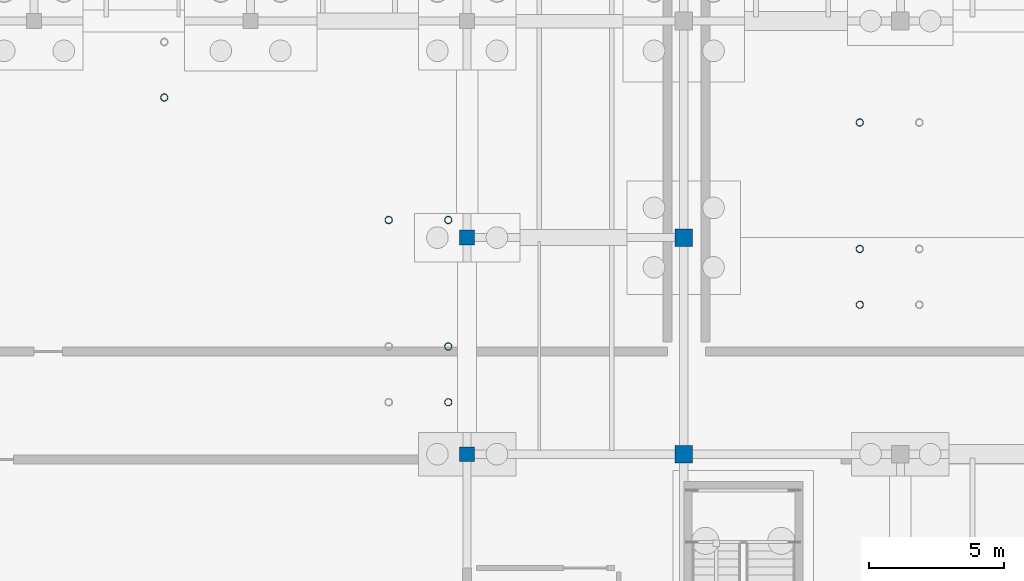
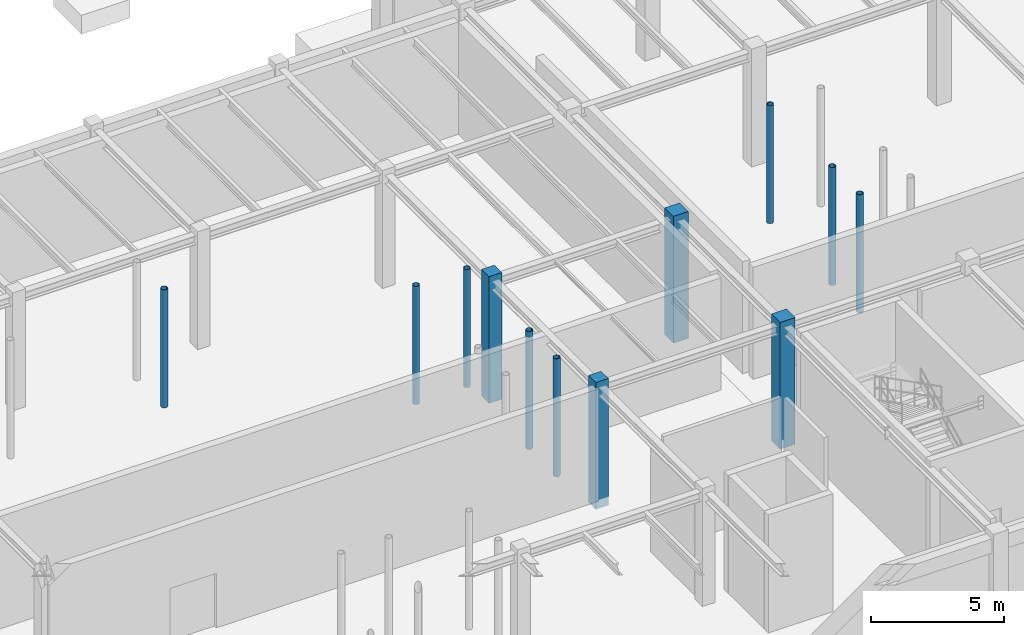
# One storey, part 14 of 71: 12 columns.
"""IFC4 building model written with IfcOpenShell, lengths in metres."""

from ifc_helpers import new_model, si_unit, direction, frame, origin, origin_2d, place, context, subcontext, project, spatial, rectangle, hollow_circle, extrude, material, material_profile, profile_set, type_object, element, save


model = new_model("IFC4")

# Units and contexts
model_context = context("Model", 3, precision=1e-05, world=origin(), true_north=direction((0.0, 1.0)))
body_context = subcontext(model_context, "Body", "Model", "MODEL_VIEW")
ifc_project = project(units=[si_unit("LENGTHUNIT", "METRE"), si_unit("AREAUNIT", "SQUARE_METRE"), si_unit("VOLUMEUNIT", "CUBIC_METRE"), si_unit("PLANEANGLEUNIT", "RADIAN"), si_unit("MASSUNIT", "GRAM", prefix="KILO")], contexts=[model_context])

# Site, building, storey
site_placement = place(None, origin())
site = spatial("IfcSite", under=ifc_project, at=site_placement, CompositionType="ELEMENT")
building_placement = place(site_placement, origin())
building = spatial("IfcBuilding", under=site, at=building_placement, Name="Sundkrona Museum", CompositionType="ELEMENT")
storey_placement = place(building_placement, frame((0.0, 0.0, -5.39990234375)))
storey = spatial("IfcBuildingStorey", under=building, at=storey_placement, Name="B1", CompositionType="ELEMENT", Elevation=-5.39990234375)

# Columns
ifc_material_1 = material(Name="Steel S355J2", Category="steel")
ifc_material_profile_1 = material_profile(ifc_material_1, hollow_circle(Radius=0.136474609375, WallThickness=0.012451171875, at=origin_2d()), Name="CHS 273.0x12.5")
ifc_profile_set_1 = profile_set([ifc_material_profile_1], Name="Steel S355J2")
column_type_1 = type_object("IfcColumnType", Name="C-CHS273", PredefinedType="COLUMN", material=ifc_profile_set_1)
for number, where, z_axis, x_axis, name in (
    (1, (111.300048828125, 17.919921875, 0.0), (0.0, 0.0, 1.0), (1.0, 0.0, 0.0), "B1 Feature Stair FS-1 Column S1-1"),
    (2, (111.300048828125, 19.97998046875, 0.0), (0.0, 0.0, 1.0), (1.0, 0.0, 0.0), "B1 Feature Stair FS-1 Column S2-1"),
    (3, (111.300048828125, 24.64990234375, 0.0), (0.0, 0.0, 1.0), (1.0, 0.0, 0.0), "B1 Feature Stair FS-1 Column S3-1"),
    (4, (109.10009765625, 24.64990234375, 0.0), (0.0, 0.0, 1.0), (1.0, 0.0, 0.0), "B1 Feature Stair FS-1 Column S3-2"),
    (5, (100.81005859375, 29.175048828125, 0.0), (0.0, 0.0, 1.0), (1.0, 0.0, 0.0), "B1 Feature Stair FS-3 Column S3-1"),
    (6, (126.5, 21.52001953125, 0.0), (0.0, 0.0, 1.0), (1.0, 0.0, 0.0), "B1 Feature Stair FS-5 Column S1-2"),
    (7, (126.5, 23.580078125, 0.0), (0.0, 0.0, 1.0), (1.0, 0.0, 0.0), "B1 Feature Stair FS-5 Column S2-2"),
    (8, (126.5, 28.25, 0.0), (0.0, 0.0, 1.0), (1.0, 0.0, 0.0), "B1 Feature Stair FS-5 Column S3-2"),
):
    element("IfcColumn", number, at=place(storey_placement, frame(where, z_axis=z_axis, x_axis=x_axis)), inside=storey, type_object=column_type_1, Name=name, PredefinedType="COLUMN", context=body_context, shape_type="SweptSolid", body=[
        extrude(hollow_circle(Radius=0.136474609375, WallThickness=0.012451171875, at=origin_2d()), origin(), (0.0, 0.0, 1.0), 5.39990234375),
    ])
ifc_material_2 = material(Name="Concrete C40/50", Category="concrete")
ifc_material_profile_2 = material_profile(ifc_material_2, rectangle(XDim=0.550048828125, YDim=0.550048828125, at=origin_2d()), Name="RC 550x550")
ifc_profile_set_2 = profile_set([ifc_material_profile_2], Name="Concrete C40/50")
column_type_2 = type_object("IfcColumnType", Name="C-RC550", PredefinedType="COLUMN", material=ifc_profile_set_2)
for number, where, z_axis, x_axis, name in (
    (9, (112.0, 16.0, -0.400146484375), (0.0, 0.0, 1.0), (1.0, 0.0, 0.0), "B1 Column C/15"),
    (10, (112.0, 24.0, -0.400146484375), (0.0, 0.0, 1.0), (1.0, 0.0, 0.0), "B1 Column D/15"),
):
    element("IfcColumn", number, at=place(storey_placement, frame(where, z_axis=z_axis, x_axis=x_axis)), inside=storey, type_object=column_type_2, Name=name, PredefinedType="COLUMN", context=body_context, shape_type="SweptSolid", body=[
        extrude(rectangle(XDim=0.550048828125, YDim=0.550048828125, at=origin_2d()), origin(), (0.0, 0.0, 1.0), 5.800048828125),
    ])
ifc_material_profile_3 = material_profile(ifc_material_2, rectangle(XDim=0.64990234375, YDim=0.64990234375, at=origin_2d()), Name="RC 650x650")
ifc_profile_set_3 = profile_set([ifc_material_profile_3], Name="Concrete C40/50")
column_type_3 = type_object("IfcColumnType", Name="C-RC650", PredefinedType="COLUMN", material=ifc_profile_set_3)
for number, where, z_axis, x_axis, name in (
    (11, (120.0, 16.0, -0.400146484375), (0.0, 0.0, 1.0), (1.0, 0.0, 0.0), "B1 Column C/16"),
    (12, (120.0, 24.0, -0.400146484375), (0.0, 0.0, 1.0), (1.0, 0.0, 0.0), "B1 Column D/16"),
):
    element("IfcColumn", number, at=place(storey_placement, frame(where, z_axis=z_axis, x_axis=x_axis)), inside=storey, type_object=column_type_3, Name=name, PredefinedType="COLUMN", context=body_context, shape_type="SweptSolid", body=[
        extrude(rectangle(XDim=0.64990234375, YDim=0.64990234375, at=origin_2d()), origin(), (0.0, 0.0, 1.0), 5.800048828125),
    ])

save(model, "model.ifc")
